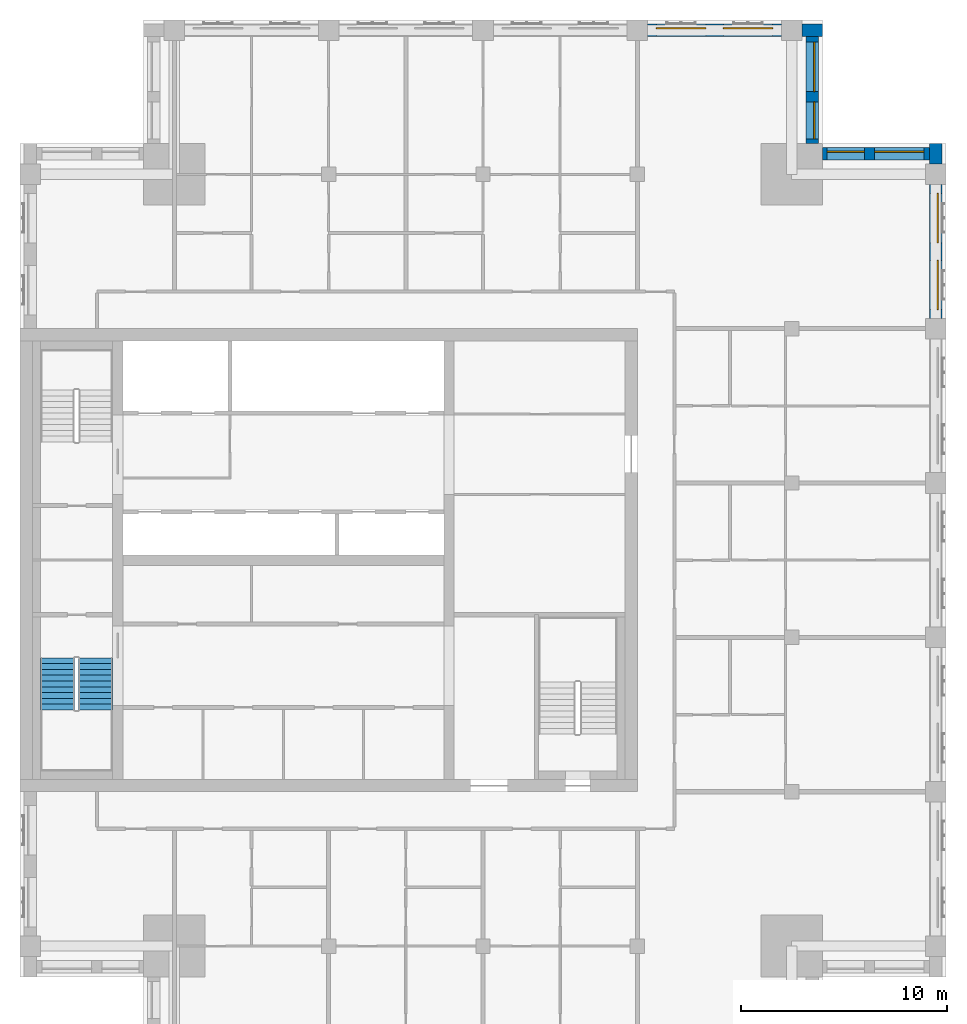
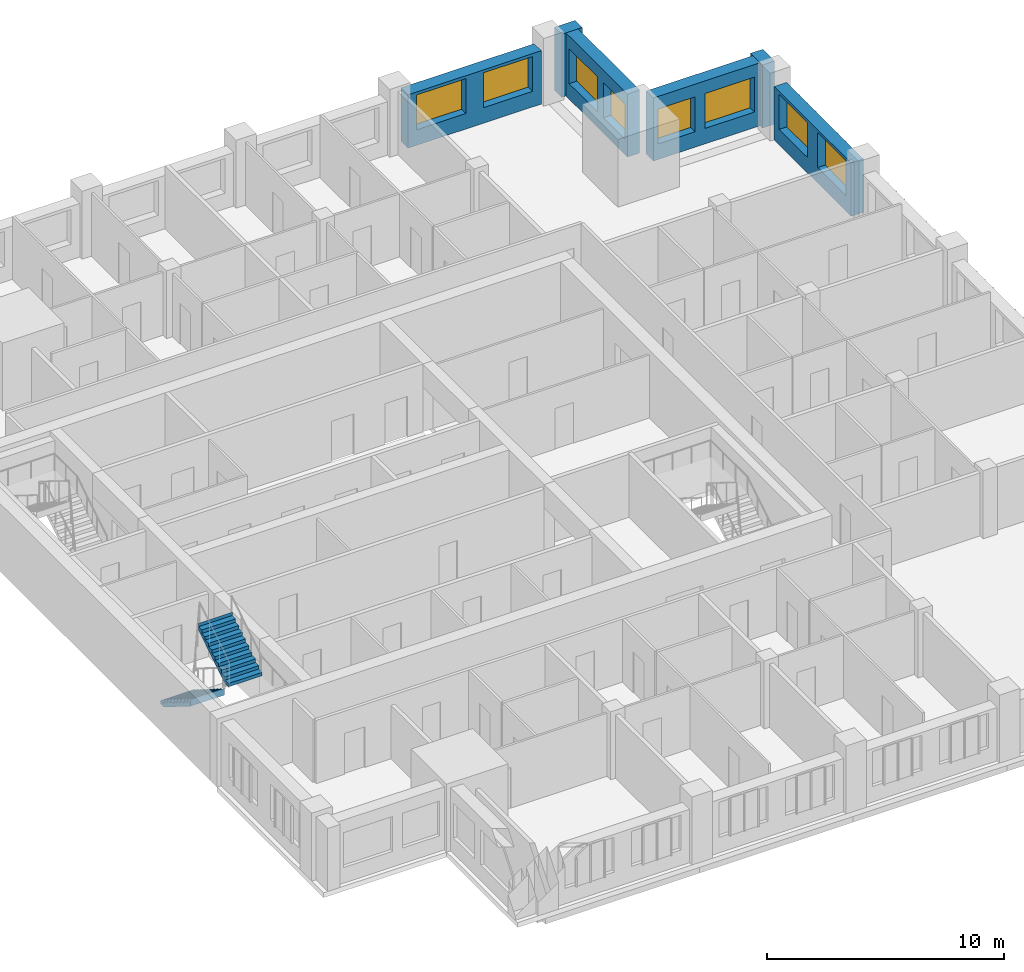
# One storey, part 8 of 10: 8 windows, 6 walls, 2 stair flights, 8 openings, 1 element without a shape of its own.
"""IFC4 building model written with IfcOpenShell, lengths in metres."""

from ifc_helpers import new_model, si_unit, direction, frame, frame_2d, origin, place, context, subcontext, project, spatial, polyline, rectangle, outline, extrude, material, layer, layer_set, type_object, element, fill, aggregate, save


model = new_model("IFC4")

# Units and contexts
model_context = context("Model", 3, precision=1e-05, world=origin(), true_north=direction((0.0, 1.0)))
body_context = subcontext(model_context, "Body", "Model", "MODEL_VIEW")
ifc_project = project(units=[si_unit("LENGTHUNIT", "METRE"), si_unit("AREAUNIT", "SQUARE_METRE"), si_unit("VOLUMEUNIT", "CUBIC_METRE"), si_unit("PLANEANGLEUNIT", "RADIAN"), si_unit("MASSUNIT", "GRAM", prefix="KILO")], contexts=[model_context])

# Site, building, storey
site_placement = place(None, origin())
site = spatial("IfcSite", under=ifc_project, at=site_placement, CompositionType="ELEMENT")
building_placement = place(site_placement, origin())
building = spatial("IfcBuilding", under=site, at=building_placement, Name="Tamorin Gate", CompositionType="ELEMENT")
storey_placement = place(building_placement, frame((0.0, 0.0, 276.699951171875)))
storey = spatial("IfcBuildingStorey", under=building, at=storey_placement, Name="L69", CompositionType="ELEMENT", Elevation=276.699951171875)

# Wall, openings, windows
ifc_material_1 = material(Name="Precast concrete C40/50", Category="concrete")
ifc_layer = layer(ifc_material_1, 0.60009765625)
ifc_layer_set = layer_set([ifc_layer], Name="Precast concrete C40/50")
wall_type = type_object("IfcWallType", Name="Board-marked concrete facade panel 600", PredefinedType="SOLIDWALL", material=ifc_layer_set)
wall_1_placement = place(storey_placement, frame((74.5, 83.0, 0.0), z_axis=(0.0, 0.0, 1.0), x_axis=(0.0, 1.0, 0.0)))
wall_1 = element("IfcWall", 1, at=wall_1_placement, inside=storey, type_object=wall_type, Name="Facade panel", PredefinedType="SOLIDWALL", context=body_context, shape_type="SweptSolid", body=[
    extrude(rectangle(XDim=6.5, YDim=0.60009765625, at=frame_2d((3.25, 0.0))), origin(), (0.0, 0.0, 1.0), 2.75),
])
opening_1_placement = place(wall_1_placement, frame((0.425048828125, 0.0, 0.800048828125)))
opening_1 = element("IfcOpeningElement", 2, at=opening_1_placement, cuts=wall_1, Name="Opening WN1", PredefinedType="OPENING", context=body_context, shape_type="SweptSolid", body=[
    extrude(rectangle(XDim=2.39990234375, YDim=1.800048828125, at=frame_2d((1.199951171875, 0.89990234375))), frame((0.0, 0.31005859375, 0.0), z_axis=(0.0, -1.0, 0.0), x_axis=(1.0, 0.0, 0.0)), (0.0, 0.0, 1.0), 0.6201171875),
])
opening_2_placement = place(wall_1_placement, frame((3.675048828125, 0.0, 0.800048828125)))
opening_2 = element("IfcOpeningElement", 3, at=opening_2_placement, cuts=wall_1, Name="Opening WN1", PredefinedType="OPENING", context=body_context, shape_type="SweptSolid", body=[
    extrude(rectangle(XDim=2.39990234375, YDim=1.800048828125, at=frame_2d((1.199951171875, 0.89990234375))), frame((0.0, 0.31005859375, 0.0), z_axis=(0.0, -1.0, 0.0), x_axis=(1.0, 0.0, 0.0)), (0.0, 0.0, 1.0), 0.6201171875),
])
ifc_material_2 = material(Name="Clear glass in aluminium frame", Category="aluminium")
window_type_1 = type_object("IfcWindowType", Name="Deep-set window 2400x1800", PartitioningType="SINGLE_PANEL", PredefinedType="WINDOW", material=ifc_material_2)
window_1_placement = place(opening_1_placement, origin())
window_1 = element("IfcWindow", 4, at=window_1_placement, inside=storey, type_object=window_type_1, Name="Deep-set window", OverallHeight=1.800048828125, OverallWidth=2.39990234375, PartitioningType="SINGLE_PANEL", PredefinedType="WINDOW", context=body_context, shape_type="SweptSolid", body=[
    extrude(rectangle(XDim=2.39990234375, YDim=1.800048828125, at=frame_2d((1.199951171875, 0.89990234375))), frame((0.0, -0.070068359375, 0.0), z_axis=(0.0, -1.0, 0.0), x_axis=(1.0, 0.0, 0.0)), (0.0, 0.0, 1.0), 0.06005859375),
])
fill(opening_1, window_1)
window_2_placement = place(opening_2_placement, origin())
window_2 = element("IfcWindow", 5, at=window_2_placement, inside=storey, type_object=window_type_1, Name="Deep-set window", OverallHeight=1.800048828125, OverallWidth=2.39990234375, PartitioningType="SINGLE_PANEL", PredefinedType="WINDOW", context=body_context, shape_type="SweptSolid", body=[
    extrude(rectangle(XDim=2.39990234375, YDim=1.800048828125, at=frame_2d((1.199951171875, 0.89990234375))), frame((0.0, -0.070068359375, 0.0), z_axis=(0.0, -1.0, 0.0), x_axis=(1.0, 0.0, 0.0)), (0.0, 0.0, 1.0), 0.06005859375),
])
fill(opening_2, window_2)

# Wall
wall_2_placement = place(storey_placement, frame((74.5, 90.5, 0.0), z_axis=(0.0, 0.0, 1.0), x_axis=(0.0, 1.0, 0.0)))
element("IfcWall", 6, at=wall_2_placement, inside=storey, type_object=wall_type, Name="Facade panel", PredefinedType="SOLIDWALL", context=body_context, shape_type="SweptSolid", body=[
    extrude(rectangle(XDim=1.0, YDim=0.60009765625, at=frame_2d((0.5, 0.0))), origin(), (0.0, 0.0, 1.0), 3.25),
])

# Wall, openings, windows
wall_3_placement = place(storey_placement, frame((74.199951171875, 91.0, 0.0), z_axis=(0.0, 0.0, 1.0), x_axis=(-1.0, 0.0, 0.0)))
wall_3 = element("IfcWall", 7, at=wall_3_placement, inside=storey, type_object=wall_type, Name="Facade panel", PredefinedType="SOLIDWALL", context=body_context, shape_type="SweptSolid", body=[
    extrude(rectangle(XDim=5.199951171875, YDim=0.60009765625, at=frame_2d((2.60009765625, 0.0))), origin(), (0.0, 0.0, 1.0), 3.25),
])
opening_3_placement = place(wall_3_placement, frame((3.175048828125, 0.0, 0.800048828125)))
opening_3 = element("IfcOpeningElement", 8, at=opening_3_placement, cuts=wall_3, Name="Opening WN2", PredefinedType="OPENING", context=body_context, shape_type="SweptSolid", body=[
    extrude(rectangle(XDim=1.800048828125, YDim=1.800048828125, at=frame_2d((0.89990234375, 0.89990234375))), frame((0.0, 0.31005859375, 0.0), z_axis=(0.0, -1.0, 0.0), x_axis=(1.0, 0.0, 0.0)), (0.0, 0.0, 1.0), 0.6201171875),
])
opening_4_placement = place(wall_3_placement, frame((0.27490234375, 0.0, 0.800048828125)))
opening_4 = element("IfcOpeningElement", 9, at=opening_4_placement, cuts=wall_3, Name="Opening WN1", PredefinedType="OPENING", context=body_context, shape_type="SweptSolid", body=[
    extrude(rectangle(XDim=2.39990234375, YDim=1.800048828125, at=frame_2d((1.199951171875, 0.89990234375))), frame((0.0, 0.31005859375, 0.0), z_axis=(0.0, -1.0, 0.0), x_axis=(1.0, 0.0, 0.0)), (0.0, 0.0, 1.0), 0.6201171875),
])
window_type_2 = type_object("IfcWindowType", Name="Deep-set window 1800x1800", PartitioningType="SINGLE_PANEL", PredefinedType="WINDOW", material=ifc_material_2)
window_3_placement = place(opening_3_placement, origin())
window_3 = element("IfcWindow", 10, at=window_3_placement, inside=storey, type_object=window_type_2, Name="Deep-set window", OverallHeight=1.800048828125, OverallWidth=1.800048828125, PartitioningType="SINGLE_PANEL", PredefinedType="WINDOW", context=body_context, shape_type="SweptSolid", body=[
    extrude(rectangle(XDim=1.800048828125, YDim=1.800048828125, at=frame_2d((0.89990234375, 0.89990234375))), frame((0.0, -0.070068359375, 0.0), z_axis=(0.0, -1.0, 0.0), x_axis=(1.0, 0.0, 0.0)), (0.0, 0.0, 1.0), 0.06005859375),
])
fill(opening_3, window_3)
window_4_placement = place(opening_4_placement, origin())
window_4 = element("IfcWindow", 11, at=window_4_placement, inside=storey, type_object=window_type_1, Name="Deep-set window", OverallHeight=1.800048828125, OverallWidth=2.39990234375, PartitioningType="SINGLE_PANEL", PredefinedType="WINDOW", context=body_context, shape_type="SweptSolid", body=[
    extrude(rectangle(XDim=2.39990234375, YDim=1.800048828125, at=frame_2d((1.199951171875, 0.89990234375))), frame((0.0, -0.070068359375, 0.0), z_axis=(0.0, -1.0, 0.0), x_axis=(1.0, 0.0, 0.0)), (0.0, 0.0, 1.0), 0.06005859375),
])
fill(opening_4, window_4)

wall_4_placement = place(storey_placement, frame((68.5, 91.5, 0.0), z_axis=(0.0, 0.0, 1.0), x_axis=(0.0, 1.0, 0.0)))
wall_4 = element("IfcWall", 12, at=wall_4_placement, inside=storey, type_object=wall_type, Name="Facade panel", PredefinedType="SOLIDWALL", context=body_context, shape_type="SweptSolid", body=[
    extrude(rectangle(XDim=5.199951171875, YDim=0.60009765625, at=frame_2d((2.60009765625, 0.0))), origin(), (0.0, 0.0, 1.0), 3.25),
])
opening_5_placement = place(wall_4_placement, frame((0.22509765625, 0.0, 0.800048828125)))
opening_5 = element("IfcOpeningElement", 13, at=opening_5_placement, cuts=wall_4, Name="Opening WN2", PredefinedType="OPENING", context=body_context, shape_type="SweptSolid", body=[
    extrude(rectangle(XDim=1.800048828125, YDim=1.800048828125, at=frame_2d((0.89990234375, 0.89990234375))), frame((0.0, 0.31005859375, 0.0), z_axis=(0.0, -1.0, 0.0), x_axis=(1.0, 0.0, 0.0)), (0.0, 0.0, 1.0), 0.6201171875),
])
opening_6_placement = place(wall_4_placement, frame((2.52490234375, 0.0, 0.800048828125)))
opening_6 = element("IfcOpeningElement", 14, at=opening_6_placement, cuts=wall_4, Name="Opening WN1", PredefinedType="OPENING", context=body_context, shape_type="SweptSolid", body=[
    extrude(rectangle(XDim=2.39990234375, YDim=1.800048828125, at=frame_2d((1.199951171875, 0.89990234375))), frame((0.0, 0.31005859375, 0.0), z_axis=(0.0, -1.0, 0.0), x_axis=(1.0, 0.0, 0.0)), (0.0, 0.0, 1.0), 0.6201171875),
])
window_5_placement = place(opening_5_placement, origin())
window_5 = element("IfcWindow", 15, at=window_5_placement, inside=storey, type_object=window_type_2, Name="Deep-set window", OverallHeight=1.800048828125, OverallWidth=1.800048828125, PartitioningType="SINGLE_PANEL", PredefinedType="WINDOW", context=body_context, shape_type="SweptSolid", body=[
    extrude(rectangle(XDim=1.800048828125, YDim=1.800048828125, at=frame_2d((0.89990234375, 0.89990234375))), frame((0.0, -0.070068359375, 0.0), z_axis=(0.0, -1.0, 0.0), x_axis=(1.0, 0.0, 0.0)), (0.0, 0.0, 1.0), 0.06005859375),
])
fill(opening_5, window_5)
window_6_placement = place(opening_6_placement, origin())
window_6 = element("IfcWindow", 16, at=window_6_placement, inside=storey, type_object=window_type_1, Name="Deep-set window", OverallHeight=1.800048828125, OverallWidth=2.39990234375, PartitioningType="SINGLE_PANEL", PredefinedType="WINDOW", context=body_context, shape_type="SweptSolid", body=[
    extrude(rectangle(XDim=2.39990234375, YDim=1.800048828125, at=frame_2d((1.199951171875, 0.89990234375))), frame((0.0, -0.070068359375, 0.0), z_axis=(0.0, -1.0, 0.0), x_axis=(1.0, 0.0, 0.0)), (0.0, 0.0, 1.0), 0.06005859375),
])
fill(opening_6, window_6)

# Wall
wall_5_placement = place(storey_placement, frame((69.0, 97.0, 0.0), z_axis=(0.0, 0.0, 1.0), x_axis=(-1.0, 0.0, 0.0)))
element("IfcWall", 17, at=wall_5_placement, inside=storey, type_object=wall_type, Name="Facade panel", PredefinedType="SOLIDWALL", context=body_context, shape_type="SweptSolid", body=[
    extrude(rectangle(XDim=1.0, YDim=0.60009765625, at=frame_2d((0.5, 0.0))), origin(), (0.0, 0.0, 1.0), 3.25),
])

# Wall, openings, windows
wall_6_placement = place(storey_placement, frame((67.0, 97.0, 0.0), z_axis=(0.0, 0.0, 1.0), x_axis=(-1.0, 0.0, 0.0)))
wall_6 = element("IfcWall", 18, at=wall_6_placement, inside=storey, type_object=wall_type, Name="Facade panel", PredefinedType="SOLIDWALL", context=body_context, shape_type="SweptSolid", body=[
    extrude(rectangle(XDim=6.5, YDim=0.60009765625, at=frame_2d((3.25, 0.0))), origin(), (0.0, 0.0, 1.0), 2.75),
])
opening_7_placement = place(wall_6_placement, frame((3.675048828125, 0.0, 0.800048828125)))
opening_7 = element("IfcOpeningElement", 19, at=opening_7_placement, cuts=wall_6, Name="Opening WN1", PredefinedType="OPENING", context=body_context, shape_type="SweptSolid", body=[
    extrude(rectangle(XDim=2.39990234375, YDim=1.800048828125, at=frame_2d((1.199951171875, 0.89990234375))), frame((0.0, 0.31005859375, 0.0), z_axis=(0.0, -1.0, 0.0), x_axis=(1.0, 0.0, 0.0)), (0.0, 0.0, 1.0), 0.6201171875),
])
opening_8_placement = place(wall_6_placement, frame((0.425048828125, 0.0, 0.800048828125)))
opening_8 = element("IfcOpeningElement", 20, at=opening_8_placement, cuts=wall_6, Name="Opening WN1", PredefinedType="OPENING", context=body_context, shape_type="SweptSolid", body=[
    extrude(rectangle(XDim=2.39990234375, YDim=1.800048828125, at=frame_2d((1.199951171875, 0.89990234375))), frame((0.0, 0.31005859375, 0.0), z_axis=(0.0, -1.0, 0.0), x_axis=(1.0, 0.0, 0.0)), (0.0, 0.0, 1.0), 0.6201171875),
])
window_7_placement = place(opening_7_placement, origin())
window_7 = element("IfcWindow", 21, at=window_7_placement, inside=storey, type_object=window_type_1, Name="Deep-set window", OverallHeight=1.800048828125, OverallWidth=2.39990234375, PartitioningType="SINGLE_PANEL", PredefinedType="WINDOW", context=body_context, shape_type="SweptSolid", body=[
    extrude(rectangle(XDim=2.39990234375, YDim=1.800048828125, at=frame_2d((1.199951171875, 0.89990234375))), frame((0.0, -0.070068359375, 0.0), z_axis=(0.0, -1.0, 0.0), x_axis=(1.0, 0.0, 0.0)), (0.0, 0.0, 1.0), 0.06005859375),
])
fill(opening_7, window_7)
window_8_placement = place(opening_8_placement, origin())
window_8 = element("IfcWindow", 22, at=window_8_placement, inside=storey, type_object=window_type_1, Name="Deep-set window", OverallHeight=1.800048828125, OverallWidth=2.39990234375, PartitioningType="SINGLE_PANEL", PredefinedType="WINDOW", context=body_context, shape_type="SweptSolid", body=[
    extrude(rectangle(XDim=2.39990234375, YDim=1.800048828125, at=frame_2d((1.199951171875, 0.89990234375))), frame((0.0, -0.070068359375, 0.0), z_axis=(0.0, -1.0, 0.0), x_axis=(1.0, 0.0, 0.0)), (0.0, 0.0, 1.0), 0.06005859375),
])
fill(opening_8, window_8)

# Stair, stair flights
ifc_material_3 = material(Name="Concrete C40/50", Category="concrete")
stair_type = type_object("IfcStairType", Name="Exit stair", PredefinedType="HALF_TURN_STAIR", material=ifc_material_3)
stair_placement = place(storey_placement, origin())
stair = element("IfcStair", 23, at=stair_placement, inside=storey, type_object=stair_type, Name="L69 stair ST1", PredefinedType="HALF_TURN_STAIR")
stair_flight_type = type_object("IfcStairFlightType", Name="Exit stair flight", PredefinedType="STRAIGHT", material=ifc_material_3)
stair_flight_1_placement = place(storey_placement, frame((31.824951171875, 66.5, 0.0), z_axis=(0.0, 0.0, 1.0), x_axis=(0.0, -1.0, 0.0)))
stair_flight_1 = element("IfcStairFlight", 24, at=stair_flight_1_placement, type_object=stair_flight_type, Name="ST1 flight 1", NumberOfRisers=10, NumberOfTreads=9, PredefinedType="STRAIGHT", RiserHeight=0.175, TreadLength=0.28, context=body_context, shape_type="SweptSolid", body=[
    extrude(outline(polyline([(-0.00048828125, 0.0), (-0.00048828125, 0.001708984375), (-0.00048828125, 0.00341796875), (-0.00048828125, 0.005126953125), (-0.00048828125, 0.0068359375), (-0.00048828125, 0.008544921875), (-0.00048828125, 0.010498046875), (-0.00048828125, 0.01220703125), (-0.00048828125, 0.013916015625), (-0.00048828125, 0.015625), (-0.00048828125, 0.017333984375), (-0.00048828125, 0.01904296875), (-0.00048828125, 0.020751953125), (-0.00048828125, 0.0224609375), (-0.00048828125, 0.024169921875), (-0.00048828125, 0.02587890625), (-0.00048828125, 0.02783203125), (-0.00048828125, 0.029541015625), (-0.00048828125, 0.03125), (-0.00048828125, 0.032958984375), (-0.00048828125, 0.03466796875), (-0.00048828125, 0.036376953125), (-0.00048828125, 0.0380859375), (-0.00048828125, 0.039794921875), (-0.00048828125, 0.04150390625), (-0.00048828125, 0.043212890625), (-0.00048828125, 0.045166015625), (-0.00048828125, 0.046875), (-0.00048828125, 0.048583984375), (-0.00048828125, 0.05029296875), (-0.00048828125, 0.052001953125), (-0.00048828125, 0.0537109375), (-0.00048828125, 0.055419921875), (-0.00048828125, 0.05712890625), (-0.00048828125, 0.058837890625), (-0.00048828125, 0.060546875), (-0.00048828125, 0.062255859375), (-0.00048828125, 0.064208984375), (-0.00048828125, 0.06591796875), (-0.00048828125, 0.067626953125), (-0.00048828125, 0.0693359375), (-0.00048828125, 0.071044921875), (-0.00048828125, 0.07275390625), (-0.00048828125, 0.074462890625), (-0.00048828125, 0.076171875), (-0.00048828125, 0.077880859375), (-0.00048828125, 0.07958984375), (-0.00048828125, 0.08154296875), (-0.00048828125, 0.083251953125), (-0.00048828125, 0.0849609375), (-0.00048828125, 0.086669921875), (-0.00048828125, 0.08837890625), (-0.00048828125, 0.090087890625), (-0.00048828125, 0.091796875), (-0.00048828125, 0.093505859375), (-0.00048828125, 0.09521484375), (-0.00048828125, 0.096923828125), (-0.00048828125, 0.098876953125), (-0.00048828125, 0.1005859375), (-0.00048828125, 0.102294921875), (-0.00048828125, 0.10400390625), (-0.00048828125, 0.105712890625), (-0.00048828125, 0.107421875), (-0.00048828125, 0.109130859375), (-0.00048828125, 0.11083984375), (-0.00048828125, 0.112548828125), (-0.00048828125, 0.1142578125), (-0.00048828125, 0.1162109375), (-0.00048828125, 0.117919921875), (-0.00048828125, 0.11962890625), (-0.00048828125, 0.121337890625), (-0.00048828125, 0.123046875), (-0.00048828125, 0.124755859375), (-0.00048828125, 0.12646484375), (-0.00048828125, 0.128173828125), (-0.00048828125, 0.1298828125), (-0.00048828125, 0.131591796875), (-0.00048828125, 0.13330078125), (-0.00048828125, 0.13525390625), (-0.00048828125, 0.136962890625), (-0.00048828125, 0.138671875), (-0.00048828125, 0.140380859375), (-0.00048828125, 0.14208984375), (-0.00048828125, 0.143798828125), (-0.00048828125, 0.1455078125), (-0.00048828125, 0.147216796875), (-0.00048828125, 0.14892578125), (-0.00048828125, 0.150634765625), (-0.00048828125, 0.152587890625), (-0.00048828125, 0.154296875), (-0.00048828125, 0.156005859375), (-0.00048828125, 0.15771484375), (-0.00048828125, 0.159423828125), (-0.00048828125, 0.1611328125), (-0.00048828125, 0.162841796875), (-0.00048828125, 0.16455078125), (-0.00048828125, 0.166259765625), (-0.00048828125, 0.16796875), (-0.00048828125, 0.169921875), (-0.00048828125, 0.171630859375), (-0.00048828125, 0.17333984375), (-0.00048828125, 0.175048828125), (0.280029296875, 0.175048828125), (0.280029296875, 0.35009765625), (0.56005859375, 0.35009765625), (0.56005859375, 0.52490234375), (0.840087890625, 0.52490234375), (0.840087890625, 0.699951171875), (1.1201171875, 0.699951171875), (1.1201171875, 0.875), (1.39990234375, 0.875), (1.39990234375, 1.050048828125), (1.679931640625, 1.050048828125), (1.679931640625, 1.22509765625), (1.9599609375, 1.22509765625), (1.9599609375, 1.39990234375), (2.239990234375, 1.39990234375), (2.239990234375, 1.574951171875), (2.52001953125, 1.574951171875), (2.52001953125, 1.75), (2.5205078125, 1.75), (2.5205078125, 1.74658203125), (2.5205078125, 1.742919921875), (2.5205078125, 1.739501953125), (2.5205078125, 1.736083984375), (2.5205078125, 1.732666015625), (2.5205078125, 1.72900390625), (2.5205078125, 1.7255859375), (2.5205078125, 1.72216796875), (2.5205078125, 1.71875), (2.5205078125, 1.715087890625), (2.5205078125, 1.711669921875), (2.5205078125, 1.708251953125), (2.5205078125, 1.704833984375), (2.5205078125, 1.701171875), (2.5205078125, 1.69775390625), (2.5205078125, 1.6943359375), (2.5205078125, 1.690673828125), (2.5205078125, 1.687255859375), (2.5205078125, 1.683837890625), (2.5205078125, 1.680419921875), (2.5205078125, 1.6767578125), (2.5205078125, 1.67333984375), (2.5205078125, 1.669921875), (2.5205078125, 1.66650390625), (2.5205078125, 1.662841796875), (2.5205078125, 1.659423828125), (2.5205078125, 1.656005859375), (2.5205078125, 1.652587890625), (2.5205078125, 1.64892578125), (2.5205078125, 1.6455078125), (2.5205078125, 1.64208984375), (2.5205078125, 1.638427734375), (2.5205078125, 1.635009765625), (2.5205078125, 1.631591796875), (2.5205078125, 1.628173828125), (2.5205078125, 1.62451171875), (2.5205078125, 1.62109375), (2.5205078125, 1.61767578125), (2.5205078125, 1.6142578125), (2.5205078125, 1.610595703125), (2.5205078125, 1.607177734375), (2.5205078125, 1.603759765625), (2.5205078125, 1.600341796875), (2.5205078125, 1.5966796875), (2.5205078125, 1.59326171875), (2.5205078125, 1.58984375), (2.5205078125, 1.58642578125), (2.5205078125, 1.582763671875), (2.5205078125, 1.579345703125), (2.5205078125, 1.575927734375), (2.5205078125, 1.572265625), (2.5205078125, 1.56884765625), (2.5205078125, 1.5654296875), (2.5205078125, 1.56201171875), (2.5205078125, 1.558349609375), (2.5205078125, 1.554931640625), (2.5205078125, 1.551513671875), (2.5205078125, 1.548095703125), (2.5205078125, 1.54443359375), (2.5205078125, 1.541015625), (2.5205078125, 1.53759765625), (2.5205078125, 1.5341796875), (2.5205078125, 1.530517578125), (2.5205078125, 1.527099609375), (2.5205078125, 1.523681640625), (2.5205078125, 1.52001953125), (2.5205078125, 1.5166015625), (2.5205078125, 1.51318359375), (2.5205078125, 1.509765625), (2.5205078125, 1.506103515625), (2.5205078125, 1.502685546875), (2.5205078125, 1.499267578125), (2.5205078125, 1.495849609375), (2.5205078125, 1.4921875), (2.5205078125, 1.48876953125), (2.5205078125, 1.4853515625), (2.5205078125, 1.48193359375), (2.5205078125, 1.478271484375), (2.5205078125, 1.474853515625), (2.5205078125, 1.471435546875), (2.5205078125, 1.4677734375), (2.5205078125, 1.46435546875), (2.5205078125, 1.4609375), (2.5205078125, 1.45751953125), (2.5205078125, 1.453857421875), (2.5205078125, 1.450439453125), (2.5205078125, 1.447021484375), (2.5205078125, 1.443603515625), (2.5205078125, 1.43994140625), (2.5205078125, 1.4365234375), (2.5205078125, 1.43310546875), (2.5205078125, 1.4296875), (2.5205078125, 1.426025390625), (2.5205078125, 1.422607421875), (2.5205078125, 1.419189453125), (2.5205078125, 1.41552734375), (2.5205078125, 1.412109375), (2.5205078125, 1.40869140625), (2.5205078125, 1.4052734375), (2.5205078125, 1.401611328125), (2.5205078125, 1.398193359375), (2.52001953125, 1.398193359375), (0.28271484375, 0.0), (-0.00048828125, 0.0)])), frame((0.0, 0.824951171875, 0.0), z_axis=(0.0, -1.0, 0.0), x_axis=(1.0, 0.0, 0.0)), (0.0, 0.0, 1.0), 1.64990234375),
])
stair_flight_2_placement = place(storey_placement, frame((33.675048828125, 63.97998046875, 1.75), z_axis=(0.0, 0.0, 1.0), x_axis=(0.0, 1.0, 0.0)))
stair_flight_2 = element("IfcStairFlight", 25, at=stair_flight_2_placement, type_object=stair_flight_type, Name="ST1 flight 2", NumberOfRisers=10, NumberOfTreads=9, PredefinedType="STRAIGHT", RiserHeight=0.175, TreadLength=0.28, context=body_context, shape_type="SweptSolid", body=[
    extrude(outline(polyline([(-0.00048828125, 0.0), (-0.00048828125, 0.001708984375), (-0.00048828125, 0.00341796875), (-0.00048828125, 0.005126953125), (-0.00048828125, 0.0068359375), (-0.00048828125, 0.008544921875), (-0.00048828125, 0.010498046875), (-0.00048828125, 0.01220703125), (-0.00048828125, 0.013916015625), (-0.00048828125, 0.015625), (-0.00048828125, 0.017333984375), (-0.00048828125, 0.01904296875), (-0.00048828125, 0.020751953125), (-0.00048828125, 0.0224609375), (-0.00048828125, 0.024169921875), (-0.00048828125, 0.02587890625), (-0.00048828125, 0.02783203125), (-0.00048828125, 0.029541015625), (-0.00048828125, 0.03125), (-0.00048828125, 0.032958984375), (-0.00048828125, 0.03466796875), (-0.00048828125, 0.036376953125), (-0.00048828125, 0.0380859375), (-0.00048828125, 0.039794921875), (-0.00048828125, 0.04150390625), (-0.00048828125, 0.043212890625), (-0.00048828125, 0.045166015625), (-0.00048828125, 0.046875), (-0.00048828125, 0.048583984375), (-0.00048828125, 0.05029296875), (-0.00048828125, 0.052001953125), (-0.00048828125, 0.0537109375), (-0.00048828125, 0.055419921875), (-0.00048828125, 0.05712890625), (-0.00048828125, 0.058837890625), (-0.00048828125, 0.060546875), (-0.00048828125, 0.062255859375), (-0.00048828125, 0.064208984375), (-0.00048828125, 0.06591796875), (-0.00048828125, 0.067626953125), (-0.00048828125, 0.0693359375), (-0.00048828125, 0.071044921875), (-0.00048828125, 0.07275390625), (-0.00048828125, 0.074462890625), (-0.00048828125, 0.076171875), (-0.00048828125, 0.077880859375), (-0.00048828125, 0.07958984375), (-0.00048828125, 0.08154296875), (-0.00048828125, 0.083251953125), (-0.00048828125, 0.0849609375), (-0.00048828125, 0.086669921875), (-0.00048828125, 0.08837890625), (-0.00048828125, 0.090087890625), (-0.00048828125, 0.091796875), (-0.00048828125, 0.093505859375), (-0.00048828125, 0.09521484375), (-0.00048828125, 0.096923828125), (-0.00048828125, 0.098876953125), (-0.00048828125, 0.1005859375), (-0.00048828125, 0.102294921875), (-0.00048828125, 0.10400390625), (-0.00048828125, 0.105712890625), (-0.00048828125, 0.107421875), (-0.00048828125, 0.109130859375), (-0.00048828125, 0.11083984375), (-0.00048828125, 0.112548828125), (-0.00048828125, 0.1142578125), (-0.00048828125, 0.1162109375), (-0.00048828125, 0.117919921875), (-0.00048828125, 0.11962890625), (-0.00048828125, 0.121337890625), (-0.00048828125, 0.123046875), (-0.00048828125, 0.124755859375), (-0.00048828125, 0.12646484375), (-0.00048828125, 0.128173828125), (-0.00048828125, 0.1298828125), (-0.00048828125, 0.131591796875), (-0.00048828125, 0.13330078125), (-0.00048828125, 0.13525390625), (-0.00048828125, 0.136962890625), (-0.00048828125, 0.138671875), (-0.00048828125, 0.140380859375), (-0.00048828125, 0.14208984375), (-0.00048828125, 0.143798828125), (-0.00048828125, 0.1455078125), (-0.00048828125, 0.147216796875), (-0.00048828125, 0.14892578125), (-0.00048828125, 0.150634765625), (-0.00048828125, 0.152587890625), (-0.00048828125, 0.154296875), (-0.00048828125, 0.156005859375), (-0.00048828125, 0.15771484375), (-0.00048828125, 0.159423828125), (-0.00048828125, 0.1611328125), (-0.00048828125, 0.162841796875), (-0.00048828125, 0.16455078125), (-0.00048828125, 0.166259765625), (-0.00048828125, 0.16796875), (-0.00048828125, 0.169921875), (-0.00048828125, 0.171630859375), (-0.00048828125, 0.17333984375), (-0.00048828125, 0.175048828125), (0.280029296875, 0.175048828125), (0.280029296875, 0.35009765625), (0.56005859375, 0.35009765625), (0.56005859375, 0.52490234375), (0.840087890625, 0.52490234375), (0.840087890625, 0.699951171875), (1.1201171875, 0.699951171875), (1.1201171875, 0.875), (1.39990234375, 0.875), (1.39990234375, 1.050048828125), (1.679931640625, 1.050048828125), (1.679931640625, 1.22509765625), (1.9599609375, 1.22509765625), (1.9599609375, 1.39990234375), (2.239990234375, 1.39990234375), (2.239990234375, 1.574951171875), (2.52001953125, 1.574951171875), (2.52001953125, 1.75), (2.5205078125, 1.75), (2.5205078125, 1.74658203125), (2.5205078125, 1.742919921875), (2.5205078125, 1.739501953125), (2.5205078125, 1.736083984375), (2.5205078125, 1.732666015625), (2.5205078125, 1.72900390625), (2.5205078125, 1.7255859375), (2.5205078125, 1.72216796875), (2.5205078125, 1.71875), (2.5205078125, 1.715087890625), (2.5205078125, 1.711669921875), (2.5205078125, 1.708251953125), (2.5205078125, 1.704833984375), (2.5205078125, 1.701171875), (2.5205078125, 1.69775390625), (2.5205078125, 1.6943359375), (2.5205078125, 1.690673828125), (2.5205078125, 1.687255859375), (2.5205078125, 1.683837890625), (2.5205078125, 1.680419921875), (2.5205078125, 1.6767578125), (2.5205078125, 1.67333984375), (2.5205078125, 1.669921875), (2.5205078125, 1.66650390625), (2.5205078125, 1.662841796875), (2.5205078125, 1.659423828125), (2.5205078125, 1.656005859375), (2.5205078125, 1.652587890625), (2.5205078125, 1.64892578125), (2.5205078125, 1.6455078125), (2.5205078125, 1.64208984375), (2.5205078125, 1.638427734375), (2.5205078125, 1.635009765625), (2.5205078125, 1.631591796875), (2.5205078125, 1.628173828125), (2.5205078125, 1.62451171875), (2.5205078125, 1.62109375), (2.5205078125, 1.61767578125), (2.5205078125, 1.6142578125), (2.5205078125, 1.610595703125), (2.5205078125, 1.607177734375), (2.5205078125, 1.603759765625), (2.5205078125, 1.600341796875), (2.5205078125, 1.5966796875), (2.5205078125, 1.59326171875), (2.5205078125, 1.58984375), (2.5205078125, 1.58642578125), (2.5205078125, 1.582763671875), (2.5205078125, 1.579345703125), (2.5205078125, 1.575927734375), (2.5205078125, 1.572265625), (2.5205078125, 1.56884765625), (2.5205078125, 1.5654296875), (2.5205078125, 1.56201171875), (2.5205078125, 1.558349609375), (2.5205078125, 1.554931640625), (2.5205078125, 1.551513671875), (2.5205078125, 1.548095703125), (2.5205078125, 1.54443359375), (2.5205078125, 1.541015625), (2.5205078125, 1.53759765625), (2.5205078125, 1.5341796875), (2.5205078125, 1.530517578125), (2.5205078125, 1.527099609375), (2.5205078125, 1.523681640625), (2.5205078125, 1.52001953125), (2.5205078125, 1.5166015625), (2.5205078125, 1.51318359375), (2.5205078125, 1.509765625), (2.5205078125, 1.506103515625), (2.5205078125, 1.502685546875), (2.5205078125, 1.499267578125), (2.5205078125, 1.495849609375), (2.5205078125, 1.4921875), (2.5205078125, 1.48876953125), (2.5205078125, 1.4853515625), (2.5205078125, 1.48193359375), (2.5205078125, 1.478271484375), (2.5205078125, 1.474853515625), (2.5205078125, 1.471435546875), (2.5205078125, 1.4677734375), (2.5205078125, 1.46435546875), (2.5205078125, 1.4609375), (2.5205078125, 1.45751953125), (2.5205078125, 1.453857421875), (2.5205078125, 1.450439453125), (2.5205078125, 1.447021484375), (2.5205078125, 1.443603515625), (2.5205078125, 1.43994140625), (2.5205078125, 1.4365234375), (2.5205078125, 1.43310546875), (2.5205078125, 1.4296875), (2.5205078125, 1.426025390625), (2.5205078125, 1.422607421875), (2.5205078125, 1.419189453125), (2.5205078125, 1.41552734375), (2.5205078125, 1.412109375), (2.5205078125, 1.40869140625), (2.5205078125, 1.4052734375), (2.5205078125, 1.401611328125), (2.5205078125, 1.398193359375), (2.52001953125, 1.398193359375), (0.28271484375, 0.0), (-0.00048828125, 0.0)])), frame((0.0, 0.824951171875, 0.0), z_axis=(0.0, -1.0, 0.0), x_axis=(1.0, 0.0, 0.0)), (0.0, 0.0, 1.0), 1.64990234375),
])
aggregate(stair, [stair_flight_1, stair_flight_2])

save(model, "model.ifc")
